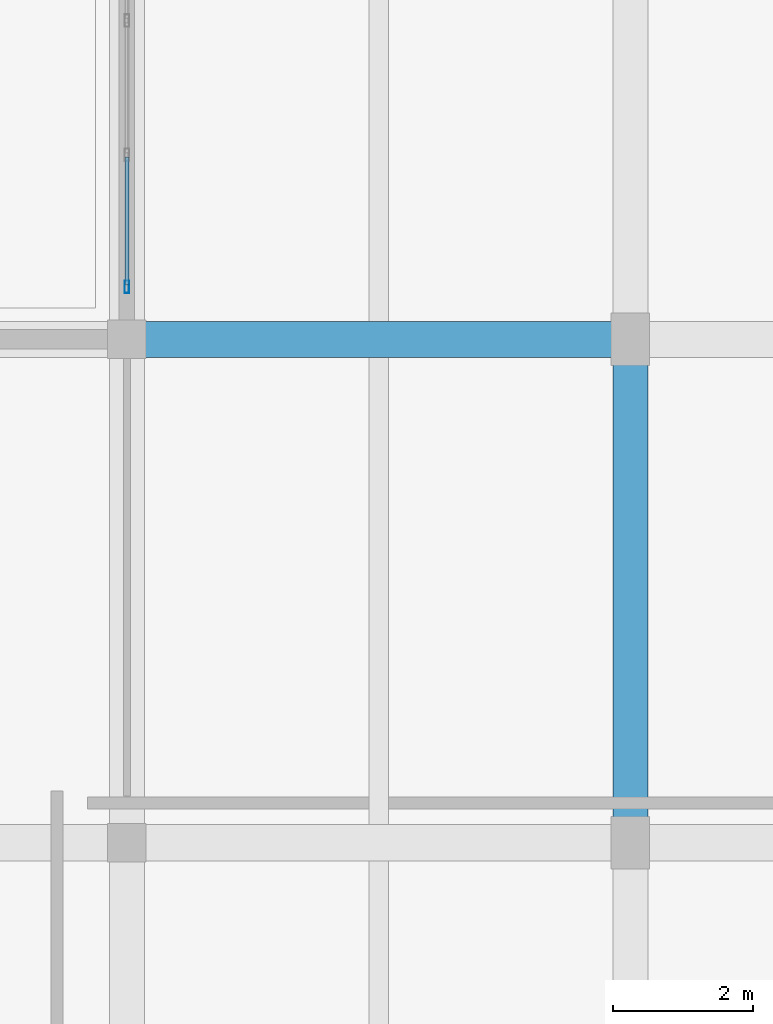
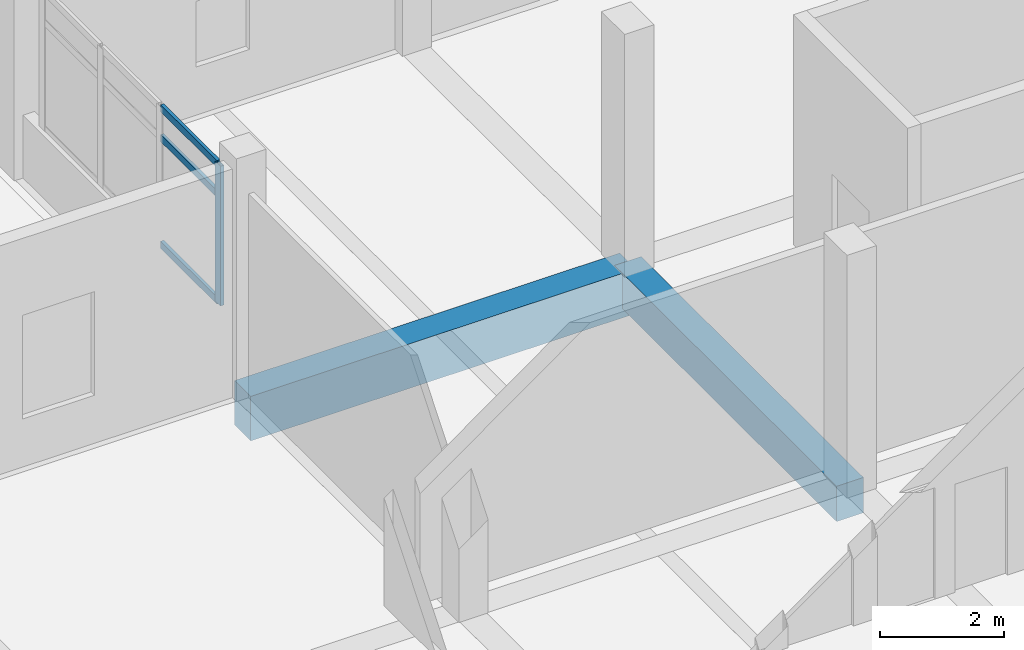
# One storey, part 85 of 140: 4 members, 2 beams, 1 element without a shape of its own.
"""IFC4 building model written with IfcOpenShell, lengths in metres."""

from ifc_helpers import new_model, si_unit, direction, frame, origin, origin_2d, place, context, subcontext, project, spatial, rectangle, hollow_rectangle, extrude, material, layer, layer_set, material_profile, profile_set, type_object, element, aggregate, save


model = new_model("IFC4")

# Units and contexts
model_context = context("Model", 3, precision=1e-05, world=origin(), true_north=direction((0.0, 1.0)))
body_context = subcontext(model_context, "Body", "Model", "MODEL_VIEW")
ifc_project = project(units=[si_unit("LENGTHUNIT", "METRE"), si_unit("AREAUNIT", "SQUARE_METRE"), si_unit("VOLUMEUNIT", "CUBIC_METRE"), si_unit("PLANEANGLEUNIT", "RADIAN"), si_unit("MASSUNIT", "GRAM", prefix="KILO")], contexts=[model_context])

# Site, building, storey
site_placement = place(None, origin())
site = spatial("IfcSite", under=ifc_project, at=site_placement, CompositionType="ELEMENT")
building_placement = place(site_placement, origin())
building = spatial("IfcBuilding", under=site, at=building_placement, Name="Seraya Terrace Polytechnic", CompositionType="ELEMENT")
storey_placement = place(building_placement, frame((0.0, 0.0, 9.60009765625)))
storey = spatial("IfcBuildingStorey", under=building, at=storey_placement, Name="L02", CompositionType="ELEMENT", Elevation=9.60009765625)

# Beams
ifc_material_1 = material(Name="Concrete C40/50", Category="concrete")
ifc_material_profile_1 = material_profile(ifc_material_1, rectangle(XDim=0.52001953125, YDim=0.8798828125, at=origin_2d()), Name="RC 520x880")
ifc_profile_set_1 = profile_set([ifc_material_profile_1], Name="Concrete C40/50")
beam_type_1 = type_object("IfcBeamType", Name="BM-04", PredefinedType="BEAM", material=ifc_profile_set_1)
beam_1_placement = place(storey_placement, frame((129.60009765625, 28.800048828125, -0.440185546875), z_axis=(1.0, 0.0, 0.0), x_axis=(0.0, 1.0, 0.0)))
element("IfcBeam", 1, at=beam_1_placement, inside=storey, type_object=beam_type_1, Name="Beam BM-04 L02 X (129.6..136.8, 28.8)", PredefinedType="BEAM", context=body_context, shape_type="SweptSolid", body=[
    extrude(rectangle(XDim=0.52001953125, YDim=0.8798828125, at=origin_2d()), origin(), (0.0, 0.0, 1.0), 7.199951171875),
])
ifc_material_profile_2 = material_profile(ifc_material_1, rectangle(XDim=0.5, YDim=0.699951171875, at=origin_2d()), Name="RC 500x700")
ifc_profile_set_2 = profile_set([ifc_material_profile_2], Name="Concrete C40/50")
beam_type_2 = type_object("IfcBeamType", Name="BM-07", PredefinedType="BEAM", material=ifc_profile_set_2)
beam_2_placement = place(storey_placement, frame((136.800048828125, 21.60009765625, -0.35009765625), z_axis=(0.0, 1.0, 0.0), x_axis=(-1.0, 0.0, 0.0)))
element("IfcBeam", 2, at=beam_2_placement, inside=storey, type_object=beam_type_2, Name="Beam BM-07 L02 Y (136.8, 21.6..28.8)", PredefinedType="BEAM", context=body_context, shape_type="SweptSolid", body=[
    extrude(rectangle(XDim=0.5, YDim=0.699951171875, at=origin_2d()), origin(), (0.0, 0.0, 1.0), 7.199951171875),
])

# Curtain wall, members
ifc_material_2 = material(Name="Anodised aluminium EN AW-6063 T6", Category="aluminium")
ifc_layer = layer(ifc_material_2, 0.179931640625, Name="CW-28")
ifc_layer_set = layer_set([ifc_layer], Name="Anodised aluminium EN AW-6063 T6")
curtain_wall_type = type_object("IfcCurtainWallType", Name="CW-28", PredefinedType="NOTDEFINED", material=ifc_layer_set)
curtain_wall_placement = place(storey_placement, origin())
curtain_wall = element("IfcCurtainWall", 3, at=curtain_wall_placement, inside=storey, type_object=curtain_wall_type, Name="Unitised curtain wall CW-28 (CW-L02-064)", PredefinedType="NOTDEFINED")
ifc_material_profile_3 = material_profile(ifc_material_2, hollow_rectangle(XDim=0.06494140625, YDim=0.179931640625, WallThickness=0.00390625, at=origin_2d()), Name="RHS 180x65x4.0")
ifc_profile_set_3 = profile_set([ifc_material_profile_3], Name="Anodised aluminium EN AW-6063 T6")
member_type_1 = type_object("IfcMemberType", Name="CWM-01", PredefinedType="MULLION", material=ifc_profile_set_3)
member_1_placement = place(storey_placement, frame((129.60009765625, 29.552490234375, 1.239990234375), z_axis=(0.0, 0.0, 1.0), x_axis=(-1.0, 0.0, 0.0)))
member_1 = element("IfcMember", 4, at=member_1_placement, type_object=member_type_1, Name="CW-28 mullion 1", PredefinedType="MULLION", context=body_context, shape_type="SweptSolid", body=[
    extrude(hollow_rectangle(XDim=0.06494140625, YDim=0.179931640625, WallThickness=0.00390625, at=origin_2d()), origin(), (0.0, 0.0, 1.0), 2.760009765625),
])
ifc_material_profile_4 = material_profile(ifc_material_2, hollow_rectangle(XDim=0.06005859375, YDim=0.139892578125, WallThickness=0.00341796875, at=origin_2d()), Name="RHS 140x60x3.5")
ifc_profile_set_4 = profile_set([ifc_material_profile_4], Name="Anodised aluminium EN AW-6063 T6")
member_type_2 = type_object("IfcMemberType", Name="CWT-01", PredefinedType="USERDEFINED", material=ifc_profile_set_4)
member_2_placement = place(storey_placement, frame((129.60009765625, 29.5849609375, 1.27001953125), z_axis=(0.0, 1.0, 0.0), x_axis=(-1.0, 0.0, 0.0)))
member_2 = element("IfcMember", 5, at=member_2_placement, type_object=member_type_2, Name="CW-28 transom 1.1", ObjectType="TRANSOM", PredefinedType="USERDEFINED", context=body_context, shape_type="SweptSolid", body=[
    extrude(hollow_rectangle(XDim=0.06005859375, YDim=0.139892578125, WallThickness=0.00341796875, at=origin_2d()), origin(), (0.0, 0.0, 1.0), 1.822509765625),
])
member_3_placement = place(storey_placement, frame((129.60009765625, 29.5849609375, 3.3798828125), z_axis=(0.0, 1.0, 0.0), x_axis=(-1.0, 0.0, 0.0)))
member_3 = element("IfcMember", 6, at=member_3_placement, type_object=member_type_2, Name="CW-28 transom 1.2", ObjectType="TRANSOM", PredefinedType="USERDEFINED", context=body_context, shape_type="SweptSolid", body=[
    extrude(hollow_rectangle(XDim=0.06005859375, YDim=0.139892578125, WallThickness=0.00341796875, at=origin_2d()), origin(), (0.0, 0.0, 1.0), 1.822509765625),
])
member_4_placement = place(storey_placement, frame((129.60009765625, 29.5849609375, 3.969970703125), z_axis=(0.0, 1.0, 0.0), x_axis=(-1.0, 0.0, 0.0)))
member_4 = element("IfcMember", 7, at=member_4_placement, type_object=member_type_2, Name="CW-28 transom 1.3", ObjectType="TRANSOM", PredefinedType="USERDEFINED", context=body_context, shape_type="SweptSolid", body=[
    extrude(hollow_rectangle(XDim=0.06005859375, YDim=0.139892578125, WallThickness=0.00341796875, at=origin_2d()), origin(), (0.0, 0.0, 1.0), 1.822509765625),
])
aggregate(curtain_wall, [member_1, member_2, member_3, member_4])

save(model, "model.ifc")
